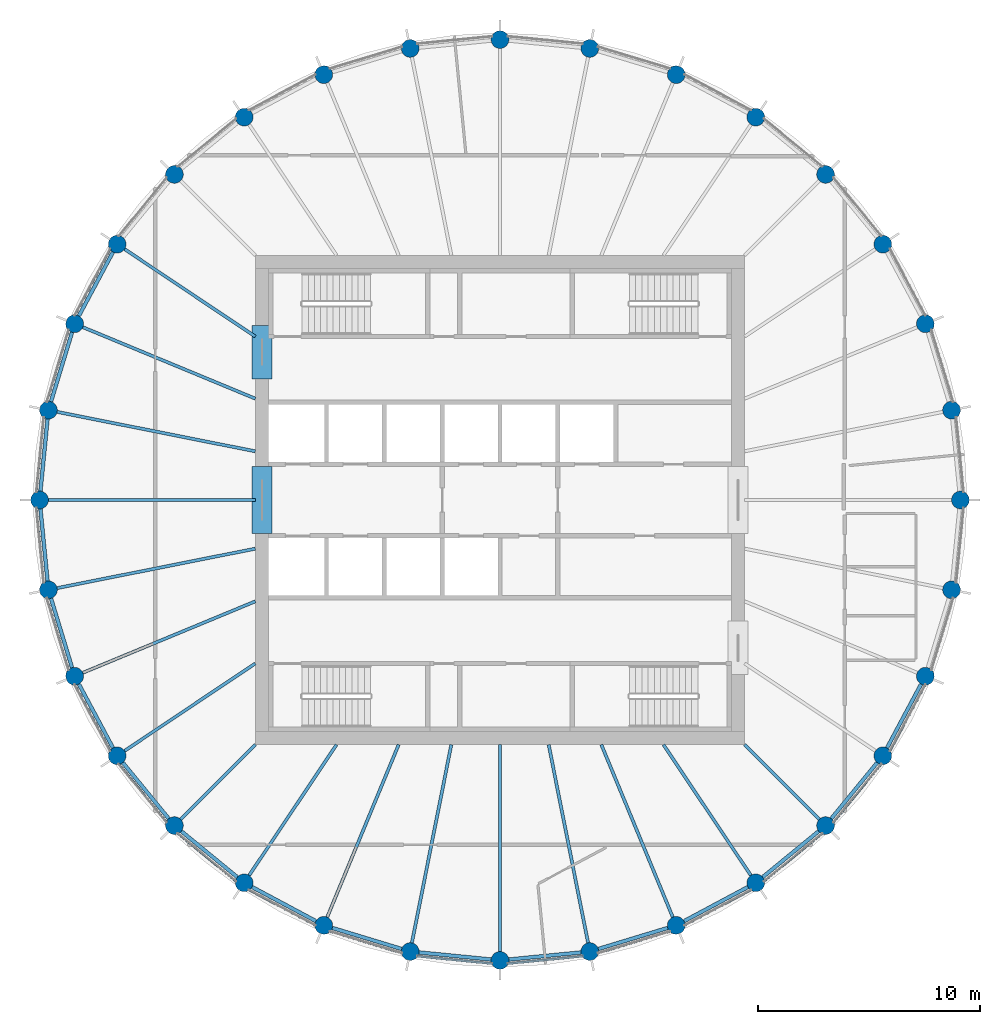
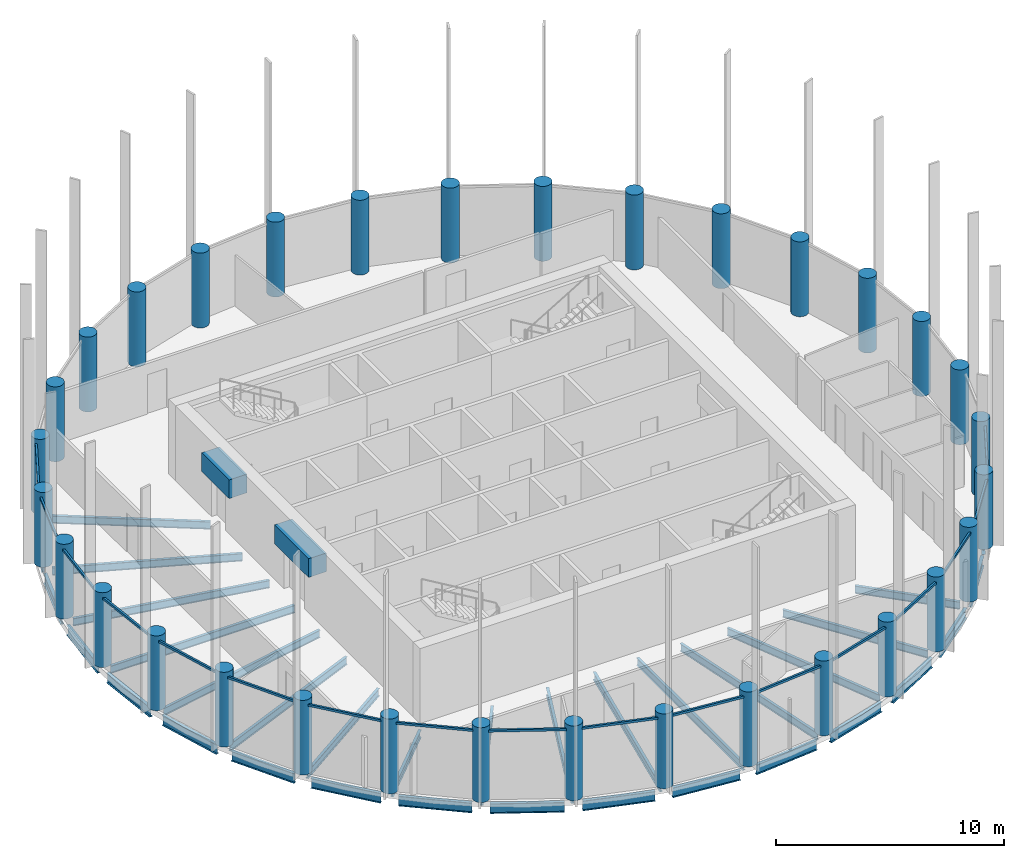
# One storey, part 1 of 7: 35 beams, 32 columns, 17 members, 17 elements without a shape of their own.
"""IFC4 building model written with IfcOpenShell, lengths in metres."""

from ifc_helpers import new_model, si_unit, direction, frame, origin, origin_2d, place, context, subcontext, project, spatial, rectangle, circle, i_section, extrude, material, material_profile, profile_set, type_object, element, aggregate, save


model = new_model("IFC4")

# Units and contexts
model_context = context("Model", 3, precision=1e-05, world=origin(), true_north=direction((0.0, 1.0)))
body_context = subcontext(model_context, "Body", "Model", "MODEL_VIEW")
ifc_project = project(units=[si_unit("LENGTHUNIT", "METRE"), si_unit("AREAUNIT", "SQUARE_METRE"), si_unit("VOLUMEUNIT", "CUBIC_METRE"), si_unit("PLANEANGLEUNIT", "RADIAN"), si_unit("MASSUNIT", "GRAM", prefix="KILO")], contexts=[model_context])

# Site, building, storey
site_placement = place(None, origin())
site = spatial("IfcSite", under=ifc_project, at=site_placement, CompositionType="ELEMENT")
building_placement = place(site_placement, origin())
building = spatial("IfcBuilding", under=site, at=building_placement, Name="Corvane Civic Tower", CompositionType="ELEMENT")
storey_placement = place(building_placement, frame((0.0, 0.0, 356.5)))
storey = spatial("IfcBuildingStorey", under=building, at=storey_placement, Name="L85", CompositionType="ELEMENT", Elevation=356.5)

# Columns
ifc_material_1 = material(Name="Concrete C60/75", Category="concrete")
ifc_material_profile_1 = material_profile(ifc_material_1, circle(Radius=0.39990234375, at=origin_2d()), Name="COLUMN 800")
ifc_profile_set_1 = profile_set([ifc_material_profile_1], Name="Concrete C60/75")
column_type = type_object("IfcColumnType", Name="RC COLUMN COLUMN 800", PredefinedType="COLUMN", material=ifc_profile_set_1)
for number, where, z_axis, x_axis, name in (
    (1, (0.0, 20.699951171875, 0.0), (0.0, 0.0, 1.0), (1.0, 0.0, 0.0), "COL-L85-F01"),
    (2, (4.038330078125, 20.30224609375, 0.0), (0.0, 0.0, 1.0), (1.0, 0.0, 0.0), "COL-L85-F02"),
    (3, (7.921630859375, 19.124267578125, 0.0), (0.0, 0.0, 1.0), (1.0, 0.0, 0.0), "COL-L85-F03"),
    (4, (11.500244140625, 17.21142578125, 0.0), (0.0, 0.0, 1.0), (1.0, 0.0, 0.0), "COL-L85-F04"),
    (5, (14.63720703125, 14.63720703125, 0.0), (0.0, 0.0, 1.0), (1.0, 0.0, 0.0), "COL-L85-F05"),
    (6, (17.21142578125, 11.500244140625, 0.0), (0.0, 0.0, 1.0), (1.0, 0.0, 0.0), "COL-L85-F06"),
    (7, (19.124267578125, 7.921630859375, 0.0), (0.0, 0.0, 1.0), (1.0, 0.0, 0.0), "COL-L85-F07"),
    (8, (20.30224609375, 4.038330078125, 0.0), (0.0, 0.0, 1.0), (1.0, 0.0, 0.0), "COL-L85-F08"),
    (9, (20.699951171875, 0.0, 0.0), (0.0, 0.0, 1.0), (1.0, 0.0, 0.0), "COL-L85-F09"),
    (10, (20.30224609375, -4.038330078125, 0.0), (0.0, 0.0, 1.0), (1.0, 0.0, 0.0), "COL-L85-F10"),
    (11, (19.124267578125, -7.921630859375, 0.0), (0.0, 0.0, 1.0), (1.0, 0.0, 0.0), "COL-L85-F11"),
    (12, (17.21142578125, -11.500244140625, 0.0), (0.0, 0.0, 1.0), (1.0, 0.0, 0.0), "COL-L85-F12"),
    (13, (14.63720703125, -14.63720703125, 0.0), (0.0, 0.0, 1.0), (1.0, 0.0, 0.0), "COL-L85-F13"),
    (14, (11.500244140625, -17.21142578125, 0.0), (0.0, 0.0, 1.0), (1.0, 0.0, 0.0), "COL-L85-F14"),
    (15, (7.921630859375, -19.124267578125, 0.0), (0.0, 0.0, 1.0), (1.0, 0.0, 0.0), "COL-L85-F15"),
    (16, (4.038330078125, -20.30224609375, 0.0), (0.0, 0.0, 1.0), (1.0, 0.0, 0.0), "COL-L85-F16"),
    (17, (0.0, -20.699951171875, 0.0), (0.0, 0.0, 1.0), (1.0, 0.0, 0.0), "COL-L85-F17"),
    (18, (-4.038330078125, -20.30224609375, 0.0), (0.0, 0.0, 1.0), (1.0, 0.0, 0.0), "COL-L85-F18"),
    (19, (-7.921630859375, -19.124267578125, 0.0), (0.0, 0.0, 1.0), (1.0, 0.0, 0.0), "COL-L85-F19"),
    (20, (-11.500244140625, -17.21142578125, 0.0), (0.0, 0.0, 1.0), (1.0, 0.0, 0.0), "COL-L85-F20"),
    (21, (-14.63720703125, -14.63720703125, 0.0), (0.0, 0.0, 1.0), (1.0, 0.0, 0.0), "COL-L85-F21"),
    (22, (-17.21142578125, -11.500244140625, 0.0), (0.0, 0.0, 1.0), (1.0, 0.0, 0.0), "COL-L85-F22"),
    (23, (-19.124267578125, -7.921630859375, 0.0), (0.0, 0.0, 1.0), (1.0, 0.0, 0.0), "COL-L85-F23"),
    (24, (-20.30224609375, -4.038330078125, 0.0), (0.0, 0.0, 1.0), (1.0, 0.0, 0.0), "COL-L85-F24"),
    (25, (-20.699951171875, 0.0, 0.0), (0.0, 0.0, 1.0), (1.0, 0.0, 0.0), "COL-L85-F25"),
    (26, (-20.30224609375, 4.038330078125, 0.0), (0.0, 0.0, 1.0), (1.0, 0.0, 0.0), "COL-L85-F26"),
    (27, (-19.124267578125, 7.921630859375, 0.0), (0.0, 0.0, 1.0), (1.0, 0.0, 0.0), "COL-L85-F27"),
    (28, (-17.21142578125, 11.500244140625, 0.0), (0.0, 0.0, 1.0), (1.0, 0.0, 0.0), "COL-L85-F28"),
    (29, (-14.63720703125, 14.63720703125, 0.0), (0.0, 0.0, 1.0), (1.0, 0.0, 0.0), "COL-L85-F29"),
    (30, (-11.500244140625, 17.21142578125, 0.0), (0.0, 0.0, 1.0), (1.0, 0.0, 0.0), "COL-L85-F30"),
    (31, (-7.921630859375, 19.124267578125, 0.0), (0.0, 0.0, 1.0), (1.0, 0.0, 0.0), "COL-L85-F31"),
    (32, (-4.038330078125, 20.30224609375, 0.0), (0.0, 0.0, 1.0), (1.0, 0.0, 0.0), "COL-L85-F32"),
):
    element("IfcColumn", number, at=place(storey_placement, frame(where, z_axis=z_axis, x_axis=x_axis)), inside=storey, type_object=column_type, Name=name, PredefinedType="COLUMN", context=body_context, shape_type="SweptSolid", body=[
        extrude(circle(Radius=0.39990234375, at=origin_2d()), origin(), (0.0, 0.0, 1.0), 4.0),
    ])

# Beams
ifc_material_2 = material(Name="Concrete C40/50", Category="concrete")
ifc_material_profile_2 = material_profile(ifc_material_2, rectangle(XDim=0.89990234375, YDim=1.0, at=origin_2d()), Name="COUPLING BEAM 900X1000")
ifc_profile_set_2 = profile_set([ifc_material_profile_2], Name="Concrete C40/50")
beam_type_1 = type_object("IfcBeamType", Name="COUPLING BEAM COUPLING BEAM 900X1000", PredefinedType="BEAM", material=ifc_profile_set_2)
beam_1_placement = place(storey_placement, frame((-10.699951171875, -1.5, 2.60009765625), z_axis=(0.0, 1.0, 0.0), x_axis=(-1.0, 0.0, 0.0)))
element("IfcBeam", 33, at=beam_1_placement, inside=storey, type_object=beam_type_1, Name="BM-L85-cpl-CW-LW", PredefinedType="BEAM", context=body_context, shape_type="SweptSolid", body=[
    extrude(rectangle(XDim=0.89990234375, YDim=1.0, at=origin_2d()), origin(), (0.0, 0.0, 1.0), 3.0),
])
beam_2_placement = place(storey_placement, frame((-10.699951171875, 5.449951171875, 2.60009765625), z_axis=(0.0, 1.0, 0.0), x_axis=(-1.0, 0.0, 0.0)))
element("IfcBeam", 34, at=beam_2_placement, inside=storey, type_object=beam_type_1, Name="BM-L85-cpl-CW-WN", PredefinedType="BEAM", context=body_context, shape_type="SweptSolid", body=[
    extrude(rectangle(XDim=0.89990234375, YDim=1.0, at=origin_2d()), origin(), (0.0, 0.0, 1.0), 2.400146484375),
])
ifc_material_3 = material(Name="Steel ASTM A992 Gr 50", Category="steel")
ifc_material_profile_3 = material_profile(ifc_material_3, i_section(OverallWidth=0.165771484375, OverallDepth=0.5283203125, WebThickness=0.009765625, FlangeThickness=0.013671875, at=origin_2d()), Name="W21X50")
ifc_profile_set_3 = profile_set([ifc_material_profile_3], Name="Steel ASTM A992 Gr 50")
beam_type_2 = type_object("IfcBeamType", Name="EDGE BEAM W21X50", PredefinedType="BEAM", material=ifc_profile_set_3)
for number, where, z_axis, x_axis, name in (
    (35, (18.935791015625, -8.2744140625, -0.564208984375), (-0.471447618, -0.881894065907, 0.0), (0.881894065907, -0.471447618, 0.0), "BM-L85-E11"),
    (36, (16.957763671875, -11.8095703125, -0.564208984375), (-0.634424551454, -0.772984791903, 0.0), (0.772984791903, -0.634424551454, 0.0), "BM-L85-E12"),
    (37, (14.327880859375, -14.890869140625, -0.564208984375), (-0.772984791903, -0.634424551454, 0.0), (0.634424551454, -0.772984791903, 0.0), "BM-L85-E13"),
    (38, (11.1474609375, -17.39990234375, -0.564208984375), (-0.881894065907, -0.471447618, 0.0), (0.471447618, -0.881894065907, 0.0), "BM-L85-E14"),
    (39, (7.538818359375, -19.240478515625, -0.564208984375), (-0.956955679349, -0.290234091317, 0.0), (0.290234091317, -0.956955679349, 0.0), "BM-L85-E15"),
):
    element("IfcBeam", number, at=place(storey_placement, frame(where, z_axis=z_axis, x_axis=x_axis)), inside=storey, type_object=beam_type_2, Name=name, PredefinedType="BEAM", context=body_context, shape_type="SweptSolid", body=[
        extrude(i_section(OverallWidth=0.165771484375, OverallDepth=0.5283203125, WebThickness=0.009765625, FlangeThickness=0.013671875, at=origin_2d()), origin(), (0.0, 0.0, 1.0), 3.2578125),
    ])
for number, where, z_axis, x_axis, name in (
    (40, (3.640380859375, -20.341552734375, -0.564208984375), (-0.995192503142, -0.097938152369, 0.0), (0.097938152369, -0.995192503142, 0.0), "BM-L85-E16"),
    (41, (-0.39794921875, -20.66064453125, -0.564208984375), (-0.995192503142, 0.097938152369, 0.0), (-0.097938152369, -0.995192503142, 0.0), "BM-L85-E17"),
):
    element("IfcBeam", number, at=place(storey_placement, frame(where, z_axis=z_axis, x_axis=x_axis)), inside=storey, type_object=beam_type_2, Name=name, PredefinedType="BEAM", context=body_context, shape_type="SweptSolid", body=[
        extrude(i_section(OverallWidth=0.165771484375, OverallDepth=0.5283203125, WebThickness=0.009765625, FlangeThickness=0.013671875, at=origin_2d()), origin(), (0.0, 0.0, 1.0), 3.258056640625),
    ])
for number, where, z_axis, x_axis, name in (
    (42, (-4.421142578125, -20.18603515625, -0.564208984375), (-0.956955679349, 0.290234091317, 0.0), (-0.290234091317, -0.956955679349, 0.0), "BM-L85-E18"),
    (43, (-8.2744140625, -18.935791015625, -0.564208984375), (-0.881894065907, 0.471447618, 0.0), (-0.471447618, -0.881894065907, 0.0), "BM-L85-E19"),
    (44, (-11.8095703125, -16.957763671875, -0.564208984375), (-0.772984791903, 0.634424551454, 0.0), (-0.634424551454, -0.772984791903, 0.0), "BM-L85-E20"),
    (45, (-14.890869140625, -14.327880859375, -0.564208984375), (-0.634424551454, 0.772984791903, 0.0), (-0.772984791903, -0.634424551454, 0.0), "BM-L85-E21"),
    (46, (-17.39990234375, -11.1474609375, -0.564208984375), (-0.471447618, 0.881894065907, 0.0), (-0.881894065907, -0.471447618, 0.0), "BM-L85-E22"),
    (47, (-19.240478515625, -7.538818359375, -0.564208984375), (-0.290234091317, 0.956955679349, 0.0), (-0.956955679349, -0.290234091317, 0.0), "BM-L85-E23"),
):
    element("IfcBeam", number, at=place(storey_placement, frame(where, z_axis=z_axis, x_axis=x_axis)), inside=storey, type_object=beam_type_2, Name=name, PredefinedType="BEAM", context=body_context, shape_type="SweptSolid", body=[
        extrude(i_section(OverallWidth=0.165771484375, OverallDepth=0.5283203125, WebThickness=0.009765625, FlangeThickness=0.013671875, at=origin_2d()), origin(), (0.0, 0.0, 1.0), 3.2578125),
    ])
for number, where, z_axis, x_axis, name in (
    (48, (-20.341552734375, -3.640380859375, -0.564208984375), (-0.097938152369, 0.995192503142, 0.0), (-0.995192503142, -0.097938152369, 0.0), "BM-L85-E24"),
    (49, (-20.66064453125, 0.39794921875, -0.564208984375), (0.097938152369, 0.995192503142, 0.0), (-0.995192503142, 0.097938152369, 0.0), "BM-L85-E25"),
):
    element("IfcBeam", number, at=place(storey_placement, frame(where, z_axis=z_axis, x_axis=x_axis)), inside=storey, type_object=beam_type_2, Name=name, PredefinedType="BEAM", context=body_context, shape_type="SweptSolid", body=[
        extrude(i_section(OverallWidth=0.165771484375, OverallDepth=0.5283203125, WebThickness=0.009765625, FlangeThickness=0.013671875, at=origin_2d()), origin(), (0.0, 0.0, 1.0), 3.258056640625),
    ])
for number, where, z_axis, x_axis, name in (
    (50, (-20.18603515625, 4.421142578125, -0.564208984375), (0.290234091317, 0.956955679349, 0.0), (-0.956955679349, 0.290234091317, 0.0), "BM-L85-E26"),
    (51, (-18.935791015625, 8.2744140625, -0.564208984375), (0.471447618, 0.881894065907, 0.0), (-0.881894065907, 0.471447618, 0.0), "BM-L85-E27"),
):
    element("IfcBeam", number, at=place(storey_placement, frame(where, z_axis=z_axis, x_axis=x_axis)), inside=storey, type_object=beam_type_2, Name=name, PredefinedType="BEAM", context=body_context, shape_type="SweptSolid", body=[
        extrude(i_section(OverallWidth=0.165771484375, OverallDepth=0.5283203125, WebThickness=0.009765625, FlangeThickness=0.013671875, at=origin_2d()), origin(), (0.0, 0.0, 1.0), 3.2578125),
    ])
ifc_material_4 = material(Name="Steel ASTM A992 Gr 50", Category="steel")
ifc_material_profile_4 = material_profile(ifc_material_4, i_section(OverallWidth=0.140380859375, OverallDepth=0.40380859375, WebThickness=0.007080078125, FlangeThickness=0.01123046875, at=origin_2d()), Name="W16X31")
ifc_profile_set_4 = profile_set([ifc_material_profile_4], Name="Steel ASTM A992 Gr 50")
beam_type_3 = type_object("IfcBeamType", Name="FLOOR GIRDER W16X31", PredefinedType="BEAM", material=ifc_profile_set_4)
beam_3_placement = place(storey_placement, frame((11.0, -11.0, -0.501953125), z_axis=(0.707106781187, -0.707106781187, 0.0), x_axis=(0.707106781187, 0.707106781187, 0.0)))
element("IfcBeam", 52, at=beam_3_placement, inside=storey, type_object=beam_type_3, Name="BM-L85-G13", PredefinedType="BEAM", context=body_context, shape_type="SweptSolid", body=[
    extrude(i_section(OverallWidth=0.140380859375, OverallDepth=0.40380859375, WebThickness=0.007080078125, FlangeThickness=0.01123046875, at=origin_2d()), origin(), (0.0, 0.0, 1.0), 4.74365234375),
])
beam_4_placement = place(storey_placement, frame((7.349853515625, -11.0, -0.501953125), z_axis=(0.555576401385, -0.831465490699, 0.0), x_axis=(0.831465490699, 0.555576401385, 0.0)))
element("IfcBeam", 53, at=beam_4_placement, inside=storey, type_object=beam_type_3, Name="BM-L85-G14", PredefinedType="BEAM", context=body_context, shape_type="SweptSolid", body=[
    extrude(i_section(OverallWidth=0.140380859375, OverallDepth=0.40380859375, WebThickness=0.007080078125, FlangeThickness=0.01123046875, at=origin_2d()), origin(), (0.0, 0.0, 1.0), 7.070556640625),
])
beam_5_placement = place(storey_placement, frame((4.556396484375, -11.0, -0.501953125), z_axis=(0.382691739894, -0.923876091377, 0.0), x_axis=(0.923876091377, 0.382691739894, 0.0)))
element("IfcBeam", 54, at=beam_5_placement, inside=storey, type_object=beam_type_3, Name="BM-L85-G15", PredefinedType="BEAM", context=body_context, shape_type="SweptSolid", body=[
    extrude(i_section(OverallWidth=0.140380859375, OverallDepth=0.40380859375, WebThickness=0.007080078125, FlangeThickness=0.01123046875, at=origin_2d()), origin(), (0.0, 0.0, 1.0), 8.3935546875),
])
beam_6_placement = place(storey_placement, frame((2.18798828125, -11.0, -0.501953125), z_axis=(0.195108241061, -0.980781715913, 0.0), x_axis=(0.980781715913, 0.195108241061, 0.0)))
element("IfcBeam", 55, at=beam_6_placement, inside=storey, type_object=beam_type_3, Name="BM-L85-G16", PredefinedType="BEAM", context=body_context, shape_type="SweptSolid", body=[
    extrude(i_section(OverallWidth=0.140380859375, OverallDepth=0.40380859375, WebThickness=0.007080078125, FlangeThickness=0.01123046875, at=origin_2d()), origin(), (0.0, 0.0, 1.0), 9.08447265625),
])
beam_7_placement = place(storey_placement, frame((0.0, -11.0, -0.501953125), z_axis=(0.0, -1.0, 0.0), x_axis=(1.0, 0.0, 0.0)))
element("IfcBeam", 56, at=beam_7_placement, inside=storey, type_object=beam_type_3, Name="BM-L85-G17", PredefinedType="BEAM", context=body_context, shape_type="SweptSolid", body=[
    extrude(i_section(OverallWidth=0.140380859375, OverallDepth=0.40380859375, WebThickness=0.007080078125, FlangeThickness=0.01123046875, at=origin_2d()), origin(), (0.0, 0.0, 1.0), 9.300048828125),
])
beam_8_placement = place(storey_placement, frame((-2.18798828125, -11.0, -0.501953125), z_axis=(-0.195108241061, -0.980781715913, 0.0), x_axis=(0.980781715913, -0.195108241061, 0.0)))
element("IfcBeam", 57, at=beam_8_placement, inside=storey, type_object=beam_type_3, Name="BM-L85-G18", PredefinedType="BEAM", context=body_context, shape_type="SweptSolid", body=[
    extrude(i_section(OverallWidth=0.140380859375, OverallDepth=0.40380859375, WebThickness=0.007080078125, FlangeThickness=0.01123046875, at=origin_2d()), origin(), (0.0, 0.0, 1.0), 9.08447265625),
])
beam_9_placement = place(storey_placement, frame((-4.556396484375, -11.0, -0.501953125), z_axis=(-0.382691739894, -0.923876091377, 0.0), x_axis=(0.923876091377, -0.382691739894, 0.0)))
element("IfcBeam", 58, at=beam_9_placement, inside=storey, type_object=beam_type_3, Name="BM-L85-G19", PredefinedType="BEAM", context=body_context, shape_type="SweptSolid", body=[
    extrude(i_section(OverallWidth=0.140380859375, OverallDepth=0.40380859375, WebThickness=0.007080078125, FlangeThickness=0.01123046875, at=origin_2d()), origin(), (0.0, 0.0, 1.0), 8.3935546875),
])
beam_10_placement = place(storey_placement, frame((-7.349853515625, -11.0, -0.501953125), z_axis=(-0.555576401385, -0.831465490699, 0.0), x_axis=(0.831465490699, -0.555576401385, 0.0)))
element("IfcBeam", 59, at=beam_10_placement, inside=storey, type_object=beam_type_3, Name="BM-L85-G20", PredefinedType="BEAM", context=body_context, shape_type="SweptSolid", body=[
    extrude(i_section(OverallWidth=0.140380859375, OverallDepth=0.40380859375, WebThickness=0.007080078125, FlangeThickness=0.01123046875, at=origin_2d()), origin(), (0.0, 0.0, 1.0), 7.070556640625),
])
beam_11_placement = place(storey_placement, frame((-11.0, -11.0, -0.501953125), z_axis=(-0.707106781187, -0.707106781187, 0.0), x_axis=(0.707106781187, -0.707106781187, 0.0)))
element("IfcBeam", 60, at=beam_11_placement, inside=storey, type_object=beam_type_3, Name="BM-L85-G21", PredefinedType="BEAM", context=body_context, shape_type="SweptSolid", body=[
    extrude(i_section(OverallWidth=0.140380859375, OverallDepth=0.40380859375, WebThickness=0.007080078125, FlangeThickness=0.01123046875, at=origin_2d()), origin(), (0.0, 0.0, 1.0), 4.74365234375),
])
beam_12_placement = place(storey_placement, frame((-11.0, -7.349853515625, -0.501953125), z_axis=(-0.831465490699, -0.555576401385, 0.0), x_axis=(0.555576401385, -0.831465490699, 0.0)))
element("IfcBeam", 61, at=beam_12_placement, inside=storey, type_object=beam_type_3, Name="BM-L85-G22", PredefinedType="BEAM", context=body_context, shape_type="SweptSolid", body=[
    extrude(i_section(OverallWidth=0.140380859375, OverallDepth=0.40380859375, WebThickness=0.007080078125, FlangeThickness=0.01123046875, at=origin_2d()), origin(), (0.0, 0.0, 1.0), 7.070556640625),
])
beam_13_placement = place(storey_placement, frame((-11.0, -4.556396484375, -0.501953125), z_axis=(-0.923876091377, -0.382691739894, 0.0), x_axis=(0.382691739894, -0.923876091377, 0.0)))
element("IfcBeam", 62, at=beam_13_placement, inside=storey, type_object=beam_type_3, Name="BM-L85-G23", PredefinedType="BEAM", context=body_context, shape_type="SweptSolid", body=[
    extrude(i_section(OverallWidth=0.140380859375, OverallDepth=0.40380859375, WebThickness=0.007080078125, FlangeThickness=0.01123046875, at=origin_2d()), origin(), (0.0, 0.0, 1.0), 8.3935546875),
])
beam_14_placement = place(storey_placement, frame((-11.0, -2.18798828125, -0.501953125), z_axis=(-0.980781715913, -0.195108241061, 0.0), x_axis=(0.195108241061, -0.980781715913, 0.0)))
element("IfcBeam", 63, at=beam_14_placement, inside=storey, type_object=beam_type_3, Name="BM-L85-G24", PredefinedType="BEAM", context=body_context, shape_type="SweptSolid", body=[
    extrude(i_section(OverallWidth=0.140380859375, OverallDepth=0.40380859375, WebThickness=0.007080078125, FlangeThickness=0.01123046875, at=origin_2d()), origin(), (0.0, 0.0, 1.0), 9.08447265625),
])
beam_15_placement = place(storey_placement, frame((-11.0, 0.0, -0.501953125), z_axis=(-1.0, 0.0, 0.0), x_axis=(0.0, -1.0, 0.0)))
element("IfcBeam", 64, at=beam_15_placement, inside=storey, type_object=beam_type_3, Name="BM-L85-G25", PredefinedType="BEAM", context=body_context, shape_type="SweptSolid", body=[
    extrude(i_section(OverallWidth=0.140380859375, OverallDepth=0.40380859375, WebThickness=0.007080078125, FlangeThickness=0.01123046875, at=origin_2d()), origin(), (0.0, 0.0, 1.0), 9.300048828125),
])
beam_16_placement = place(storey_placement, frame((-11.0, 2.18798828125, -0.501953125), z_axis=(-0.980781715913, 0.195108241061, 0.0), x_axis=(-0.195108241061, -0.980781715913, 0.0)))
element("IfcBeam", 65, at=beam_16_placement, inside=storey, type_object=beam_type_3, Name="BM-L85-G26", PredefinedType="BEAM", context=body_context, shape_type="SweptSolid", body=[
    extrude(i_section(OverallWidth=0.140380859375, OverallDepth=0.40380859375, WebThickness=0.007080078125, FlangeThickness=0.01123046875, at=origin_2d()), origin(), (0.0, 0.0, 1.0), 9.08447265625),
])
beam_17_placement = place(storey_placement, frame((-11.0, 4.556396484375, -0.501953125), z_axis=(-0.923876091377, 0.382691739894, 0.0), x_axis=(-0.382691739894, -0.923876091377, 0.0)))
element("IfcBeam", 66, at=beam_17_placement, inside=storey, type_object=beam_type_3, Name="BM-L85-G27", PredefinedType="BEAM", context=body_context, shape_type="SweptSolid", body=[
    extrude(i_section(OverallWidth=0.140380859375, OverallDepth=0.40380859375, WebThickness=0.007080078125, FlangeThickness=0.01123046875, at=origin_2d()), origin(), (0.0, 0.0, 1.0), 8.3935546875),
])
beam_18_placement = place(storey_placement, frame((-11.0, 7.349853515625, -0.501953125), z_axis=(-0.831465490699, 0.555576401385, 0.0), x_axis=(-0.555576401385, -0.831465490699, 0.0)))
element("IfcBeam", 67, at=beam_18_placement, inside=storey, type_object=beam_type_3, Name="BM-L85-G28", PredefinedType="BEAM", context=body_context, shape_type="SweptSolid", body=[
    extrude(i_section(OverallWidth=0.140380859375, OverallDepth=0.40380859375, WebThickness=0.007080078125, FlangeThickness=0.01123046875, at=origin_2d()), origin(), (0.0, 0.0, 1.0), 7.070556640625),
])

# Curtain wall, member
ifc_material_5 = material(Name="Anodised aluminium bronze", Category="aluminium")
curtain_wall_type = type_object("IfcCurtainWallType", Name="TOWER CW-T3 STICK CURTAIN WALL", PredefinedType="NOTDEFINED", material=ifc_material_5)
curtain_wall_1_placement = place(storey_placement, origin())
curtain_wall_1 = element("IfcCurtainWall", 68, at=curtain_wall_1_placement, inside=storey, type_object=curtain_wall_type, Name="Curtain wall CW-T3 L85 bay 11", PredefinedType="NOTDEFINED")
ifc_material_6 = material(Name="Anodised aluminium bronze", Category="aluminium")
ifc_material_profile_5 = material_profile(ifc_material_6, rectangle(XDim=0.10009765625, YDim=0.1201171875, at=origin_2d()), Name="TOWER CW-T3 TRANSOM 100x120")
ifc_profile_set_5 = profile_set([ifc_material_profile_5], Name="Anodised aluminium bronze")
member_type = type_object("IfcMemberType", Name="TOWER CW-T3 TRANSOM 100x120", PredefinedType="USERDEFINED", material=ifc_profile_set_5)
member_1_placement = place(storey_placement, frame((19.127685546875, -8.294921875, 3.68994140625), z_axis=(-0.471358988063, -0.881941440444, 0.0), x_axis=(0.881941440444, -0.471358988063, 0.0)))
member_1 = element("IfcMember", 69, at=member_1_placement, type_object=member_type, Name="Transom CW-T3 L85 11.1", ObjectType="TRANSOM", PredefinedType="USERDEFINED", context=body_context, shape_type="SweptSolid", body=[
    extrude(rectangle(XDim=0.10009765625, YDim=0.1201171875, at=origin_2d()), origin(), (0.0, 0.0, 1.0), 3.40234375),
])
aggregate(curtain_wall_1, [member_1])

curtain_wall_2_placement = place(storey_placement, origin())
curtain_wall_2 = element("IfcCurtainWall", 70, at=curtain_wall_2_placement, inside=storey, type_object=curtain_wall_type, Name="Curtain wall CW-T3 L85 bay 12", PredefinedType="NOTDEFINED")
member_2_placement = place(storey_placement, frame((17.14208984375, -11.8671875, 3.68994140625), z_axis=(-0.634393571736, -0.773010217358, 0.0), x_axis=(0.773010217358, -0.634393571736, 0.0)))
member_2 = element("IfcMember", 71, at=member_2_placement, type_object=member_type, Name="Transom CW-T3 L85 12.1", ObjectType="TRANSOM", PredefinedType="USERDEFINED", context=body_context, shape_type="SweptSolid", body=[
    extrude(rectangle(XDim=0.10009765625, YDim=0.1201171875, at=origin_2d()), origin(), (0.0, 0.0, 1.0), 3.40283203125),
])
aggregate(curtain_wall_2, [member_2])

curtain_wall_3_placement = place(storey_placement, origin())
curtain_wall_3 = element("IfcCurtainWall", 72, at=curtain_wall_3_placement, inside=storey, type_object=curtain_wall_type, Name="Curtain wall CW-T3 L85 bay 13", PredefinedType="NOTDEFINED")
member_3_placement = place(storey_placement, frame((14.49755859375, -14.9833984375, 3.68994140625), z_axis=(-0.773010217358, -0.634393571736, 0.0), x_axis=(0.634393571736, -0.773010217358, 0.0)))
member_3 = element("IfcMember", 73, at=member_3_placement, type_object=member_type, Name="Transom CW-T3 L85 13.1", ObjectType="TRANSOM", PredefinedType="USERDEFINED", context=body_context, shape_type="SweptSolid", body=[
    extrude(rectangle(XDim=0.10009765625, YDim=0.1201171875, at=origin_2d()), origin(), (0.0, 0.0, 1.0), 3.40283203125),
])
aggregate(curtain_wall_3, [member_3])

curtain_wall_4_placement = place(storey_placement, origin())
curtain_wall_4 = element("IfcCurtainWall", 74, at=curtain_wall_4_placement, inside=storey, type_object=curtain_wall_type, Name="Curtain wall CW-T3 L85 bay 14", PredefinedType="NOTDEFINED")
member_4_placement = place(storey_placement, frame((11.295654296875, -17.52392578125, 3.68994140625), z_axis=(-0.881941440444, -0.471358988063, 0.0), x_axis=(0.471358988063, -0.881941440444, 0.0)))
member_4 = element("IfcMember", 75, at=member_4_placement, type_object=member_type, Name="Transom CW-T3 L85 14.1", ObjectType="TRANSOM", PredefinedType="USERDEFINED", context=body_context, shape_type="SweptSolid", body=[
    extrude(rectangle(XDim=0.10009765625, YDim=0.1201171875, at=origin_2d()), origin(), (0.0, 0.0, 1.0), 3.40234375),
])
aggregate(curtain_wall_4, [member_4])

curtain_wall_5_placement = place(storey_placement, origin())
curtain_wall_5 = element("IfcCurtainWall", 76, at=curtain_wall_5_placement, inside=storey, type_object=curtain_wall_type, Name="Curtain wall CW-T3 L85 bay 15", PredefinedType="NOTDEFINED")
member_5_placement = place(storey_placement, frame((7.66015625, -19.390869140625, 3.68994140625), z_axis=(-0.956961022204, -0.290216474345, 0.0), x_axis=(0.290216474345, -0.956961022204, 0.0)))
member_5 = element("IfcMember", 77, at=member_5_placement, type_object=member_type, Name="Transom CW-T3 L85 15.1", ObjectType="TRANSOM", PredefinedType="USERDEFINED", context=body_context, shape_type="SweptSolid", body=[
    extrude(rectangle(XDim=0.10009765625, YDim=0.1201171875, at=origin_2d()), origin(), (0.0, 0.0, 1.0), 3.40283203125),
])
aggregate(curtain_wall_5, [member_5])

curtain_wall_6_placement = place(storey_placement, origin())
curtain_wall_6 = element("IfcCurtainWall", 78, at=curtain_wall_6_placement, inside=storey, type_object=curtain_wall_type, Name="Curtain wall CW-T3 L85 bay 16", PredefinedType="NOTDEFINED")
member_6_placement = place(storey_placement, frame((3.729736328125, -20.5126953125, 3.68994140625), z_axis=(-0.995191564676, -0.097947688066, 0.0), x_axis=(0.097947688066, -0.995191564676, 0.0)))
member_6 = element("IfcMember", 79, at=member_6_placement, type_object=member_type, Name="Transom CW-T3 L85 16.1", ObjectType="TRANSOM", PredefinedType="USERDEFINED", context=body_context, shape_type="SweptSolid", body=[
    extrude(rectangle(XDim=0.10009765625, YDim=0.1201171875, at=origin_2d()), origin(), (0.0, 0.0, 1.0), 3.40234375),
])
aggregate(curtain_wall_6, [member_6])

curtain_wall_7_placement = place(storey_placement, origin())
curtain_wall_7 = element("IfcCurtainWall", 80, at=curtain_wall_7_placement, inside=storey, type_object=curtain_wall_type, Name="Curtain wall CW-T3 L85 bay 17", PredefinedType="NOTDEFINED")
member_7_placement = place(storey_placement, frame((-0.34375, -20.845947265625, 3.68994140625), z_axis=(-0.995191564676, 0.097947688066, 0.0), x_axis=(-0.097947688066, -0.995191564676, 0.0)))
member_7 = element("IfcMember", 81, at=member_7_placement, type_object=member_type, Name="Transom CW-T3 L85 17.1", ObjectType="TRANSOM", PredefinedType="USERDEFINED", context=body_context, shape_type="SweptSolid", body=[
    extrude(rectangle(XDim=0.10009765625, YDim=0.1201171875, at=origin_2d()), origin(), (0.0, 0.0, 1.0), 3.40234375),
])
aggregate(curtain_wall_7, [member_7])

curtain_wall_8_placement = place(storey_placement, origin())
curtain_wall_8 = element("IfcCurtainWall", 82, at=curtain_wall_8_placement, inside=storey, type_object=curtain_wall_type, Name="Curtain wall CW-T3 L85 bay 18", PredefinedType="NOTDEFINED")
member_8_placement = place(storey_placement, frame((-4.40380859375, -20.37841796875, 3.68994140625), z_axis=(-0.956961022204, 0.290216474345, 0.0), x_axis=(-0.290216474345, -0.956961022204, 0.0)))
member_8 = element("IfcMember", 83, at=member_8_placement, type_object=member_type, Name="Transom CW-T3 L85 18.1", ObjectType="TRANSOM", PredefinedType="USERDEFINED", context=body_context, shape_type="SweptSolid", body=[
    extrude(rectangle(XDim=0.10009765625, YDim=0.1201171875, at=origin_2d()), origin(), (0.0, 0.0, 1.0), 3.40283203125),
])
aggregate(curtain_wall_8, [member_8])

curtain_wall_9_placement = place(storey_placement, origin())
curtain_wall_9 = element("IfcCurtainWall", 84, at=curtain_wall_9_placement, inside=storey, type_object=curtain_wall_type, Name="Curtain wall CW-T3 L85 bay 19", PredefinedType="NOTDEFINED")
member_9_placement = place(storey_placement, frame((-8.294921875, -19.127685546875, 3.68994140625), z_axis=(-0.881941440444, 0.471358988063, 0.0), x_axis=(-0.471358988063, -0.881941440444, 0.0)))
member_9 = element("IfcMember", 85, at=member_9_placement, type_object=member_type, Name="Transom CW-T3 L85 19.1", ObjectType="TRANSOM", PredefinedType="USERDEFINED", context=body_context, shape_type="SweptSolid", body=[
    extrude(rectangle(XDim=0.10009765625, YDim=0.1201171875, at=origin_2d()), origin(), (0.0, 0.0, 1.0), 3.40234375),
])
aggregate(curtain_wall_9, [member_9])

curtain_wall_10_placement = place(storey_placement, origin())
curtain_wall_10 = element("IfcCurtainWall", 86, at=curtain_wall_10_placement, inside=storey, type_object=curtain_wall_type, Name="Curtain wall CW-T3 L85 bay 20", PredefinedType="NOTDEFINED")
member_10_placement = place(storey_placement, frame((-11.8671875, -17.14208984375, 3.68994140625), z_axis=(-0.773010217358, 0.634393571736, 0.0), x_axis=(-0.634393571736, -0.773010217358, 0.0)))
member_10 = element("IfcMember", 87, at=member_10_placement, type_object=member_type, Name="Transom CW-T3 L85 20.1", ObjectType="TRANSOM", PredefinedType="USERDEFINED", context=body_context, shape_type="SweptSolid", body=[
    extrude(rectangle(XDim=0.10009765625, YDim=0.1201171875, at=origin_2d()), origin(), (0.0, 0.0, 1.0), 3.40283203125),
])
aggregate(curtain_wall_10, [member_10])

curtain_wall_11_placement = place(storey_placement, origin())
curtain_wall_11 = element("IfcCurtainWall", 88, at=curtain_wall_11_placement, inside=storey, type_object=curtain_wall_type, Name="Curtain wall CW-T3 L85 bay 21", PredefinedType="NOTDEFINED")
member_11_placement = place(storey_placement, frame((-14.9833984375, -14.49755859375, 3.68994140625), z_axis=(-0.634393571736, 0.773010217358, 0.0), x_axis=(-0.773010217358, -0.634393571736, 0.0)))
member_11 = element("IfcMember", 89, at=member_11_placement, type_object=member_type, Name="Transom CW-T3 L85 21.1", ObjectType="TRANSOM", PredefinedType="USERDEFINED", context=body_context, shape_type="SweptSolid", body=[
    extrude(rectangle(XDim=0.10009765625, YDim=0.1201171875, at=origin_2d()), origin(), (0.0, 0.0, 1.0), 3.40283203125),
])
aggregate(curtain_wall_11, [member_11])

curtain_wall_12_placement = place(storey_placement, origin())
curtain_wall_12 = element("IfcCurtainWall", 90, at=curtain_wall_12_placement, inside=storey, type_object=curtain_wall_type, Name="Curtain wall CW-T3 L85 bay 22", PredefinedType="NOTDEFINED")
member_12_placement = place(storey_placement, frame((-17.52392578125, -11.295654296875, 3.68994140625), z_axis=(-0.471358988063, 0.881941440444, 0.0), x_axis=(-0.881941440444, -0.471358988063, 0.0)))
member_12 = element("IfcMember", 91, at=member_12_placement, type_object=member_type, Name="Transom CW-T3 L85 22.1", ObjectType="TRANSOM", PredefinedType="USERDEFINED", context=body_context, shape_type="SweptSolid", body=[
    extrude(rectangle(XDim=0.10009765625, YDim=0.1201171875, at=origin_2d()), origin(), (0.0, 0.0, 1.0), 3.40234375),
])
aggregate(curtain_wall_12, [member_12])

curtain_wall_13_placement = place(storey_placement, origin())
curtain_wall_13 = element("IfcCurtainWall", 92, at=curtain_wall_13_placement, inside=storey, type_object=curtain_wall_type, Name="Curtain wall CW-T3 L85 bay 23", PredefinedType="NOTDEFINED")
member_13_placement = place(storey_placement, frame((-19.390869140625, -7.66015625, 3.68994140625), z_axis=(-0.290216474345, 0.956961022204, 0.0), x_axis=(-0.956961022204, -0.290216474345, 0.0)))
member_13 = element("IfcMember", 93, at=member_13_placement, type_object=member_type, Name="Transom CW-T3 L85 23.1", ObjectType="TRANSOM", PredefinedType="USERDEFINED", context=body_context, shape_type="SweptSolid", body=[
    extrude(rectangle(XDim=0.10009765625, YDim=0.1201171875, at=origin_2d()), origin(), (0.0, 0.0, 1.0), 3.40283203125),
])
aggregate(curtain_wall_13, [member_13])

curtain_wall_14_placement = place(storey_placement, origin())
curtain_wall_14 = element("IfcCurtainWall", 94, at=curtain_wall_14_placement, inside=storey, type_object=curtain_wall_type, Name="Curtain wall CW-T3 L85 bay 24", PredefinedType="NOTDEFINED")
member_14_placement = place(storey_placement, frame((-20.5126953125, -3.729736328125, 3.68994140625), z_axis=(-0.097947688066, 0.995191564676, 0.0), x_axis=(-0.995191564676, -0.097947688066, 0.0)))
member_14 = element("IfcMember", 95, at=member_14_placement, type_object=member_type, Name="Transom CW-T3 L85 24.1", ObjectType="TRANSOM", PredefinedType="USERDEFINED", context=body_context, shape_type="SweptSolid", body=[
    extrude(rectangle(XDim=0.10009765625, YDim=0.1201171875, at=origin_2d()), origin(), (0.0, 0.0, 1.0), 3.40234375),
])
aggregate(curtain_wall_14, [member_14])

curtain_wall_15_placement = place(storey_placement, origin())
curtain_wall_15 = element("IfcCurtainWall", 96, at=curtain_wall_15_placement, inside=storey, type_object=curtain_wall_type, Name="Curtain wall CW-T3 L85 bay 25", PredefinedType="NOTDEFINED")
member_15_placement = place(storey_placement, frame((-20.845947265625, 0.34375, 3.68994140625), z_axis=(0.097947688066, 0.995191564676, 0.0), x_axis=(-0.995191564676, 0.097947688066, 0.0)))
member_15 = element("IfcMember", 97, at=member_15_placement, type_object=member_type, Name="Transom CW-T3 L85 25.1", ObjectType="TRANSOM", PredefinedType="USERDEFINED", context=body_context, shape_type="SweptSolid", body=[
    extrude(rectangle(XDim=0.10009765625, YDim=0.1201171875, at=origin_2d()), origin(), (0.0, 0.0, 1.0), 3.40234375),
])
aggregate(curtain_wall_15, [member_15])

curtain_wall_16_placement = place(storey_placement, origin())
curtain_wall_16 = element("IfcCurtainWall", 98, at=curtain_wall_16_placement, inside=storey, type_object=curtain_wall_type, Name="Curtain wall CW-T3 L85 bay 26", PredefinedType="NOTDEFINED")
member_16_placement = place(storey_placement, frame((-20.37841796875, 4.40380859375, 3.68994140625), z_axis=(0.290216474345, 0.956961022204, 0.0), x_axis=(-0.956961022204, 0.290216474345, 0.0)))
member_16 = element("IfcMember", 99, at=member_16_placement, type_object=member_type, Name="Transom CW-T3 L85 26.1", ObjectType="TRANSOM", PredefinedType="USERDEFINED", context=body_context, shape_type="SweptSolid", body=[
    extrude(rectangle(XDim=0.10009765625, YDim=0.1201171875, at=origin_2d()), origin(), (0.0, 0.0, 1.0), 3.40283203125),
])
aggregate(curtain_wall_16, [member_16])

curtain_wall_17_placement = place(storey_placement, origin())
curtain_wall_17 = element("IfcCurtainWall", 100, at=curtain_wall_17_placement, inside=storey, type_object=curtain_wall_type, Name="Curtain wall CW-T3 L85 bay 27", PredefinedType="NOTDEFINED")
member_17_placement = place(storey_placement, frame((-19.127685546875, 8.294921875, 3.68994140625), z_axis=(0.471358988063, 0.881941440444, 0.0), x_axis=(-0.881941440444, 0.471358988063, 0.0)))
member_17 = element("IfcMember", 101, at=member_17_placement, type_object=member_type, Name="Transom CW-T3 L85 27.1", ObjectType="TRANSOM", PredefinedType="USERDEFINED", context=body_context, shape_type="SweptSolid", body=[
    extrude(rectangle(XDim=0.10009765625, YDim=0.1201171875, at=origin_2d()), origin(), (0.0, 0.0, 1.0), 3.40234375),
])
aggregate(curtain_wall_17, [member_17])

save(model, "model.ifc")
